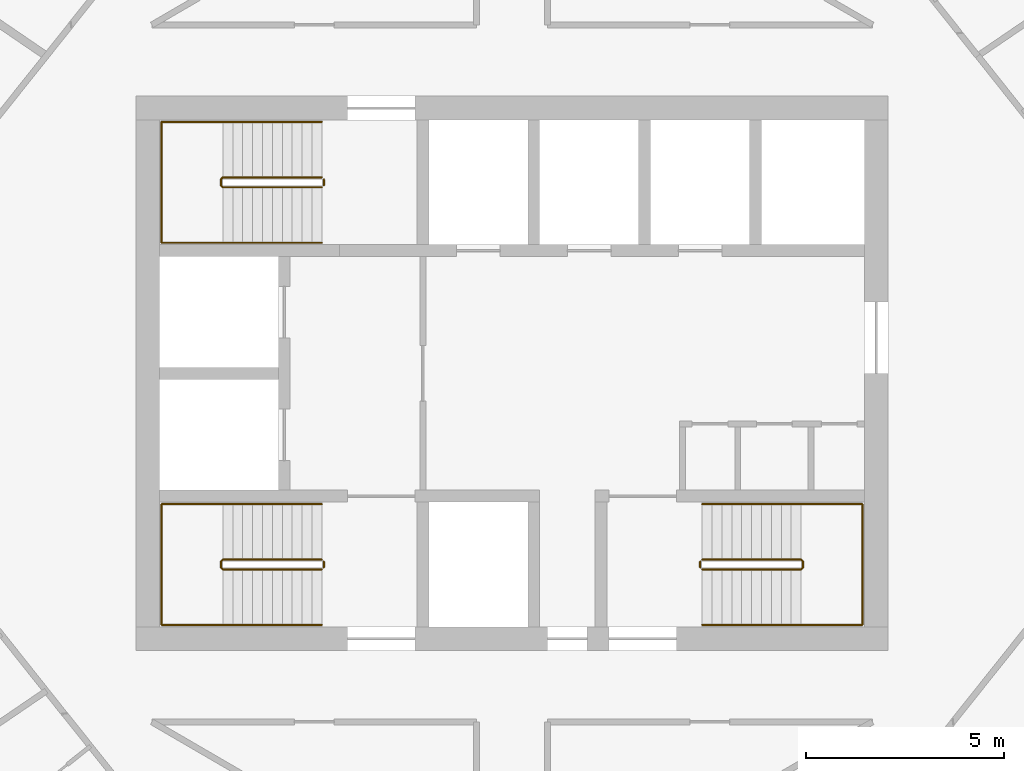
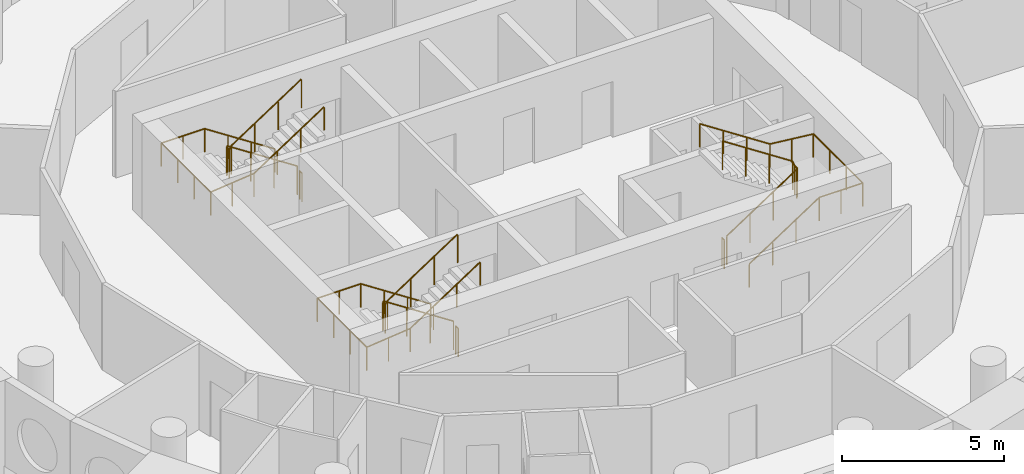
# One storey, part 13 of 13: 9 railings.
"""IFC4 building model written with IfcOpenShell, lengths in metres."""

from ifc_helpers import new_model, si_unit, direction, frame, origin, origin_2d, place, context, subcontext, project, spatial, circle, extrude, material, type_object, element, save


model = new_model("IFC4")

# Units and contexts
model_context = context("Model", 3, precision=1e-05, world=origin(), true_north=direction((0.0, 1.0)))
body_context = subcontext(model_context, "Body", "Model", "MODEL_VIEW")
ifc_project = project(units=[si_unit("LENGTHUNIT", "METRE"), si_unit("AREAUNIT", "SQUARE_METRE"), si_unit("VOLUMEUNIT", "CUBIC_METRE"), si_unit("PLANEANGLEUNIT", "RADIAN"), si_unit("MASSUNIT", "GRAM", prefix="KILO")], contexts=[model_context])

# Site, building, storey
site_placement = place(None, origin())
site = spatial("IfcSite", under=ifc_project, at=site_placement, CompositionType="ELEMENT")
building_placement = place(site_placement, origin())
building = spatial("IfcBuilding", under=site, at=building_placement, Name="Tracery Tower", CompositionType="ELEMENT")
storey_placement = place(building_placement, frame((0.0, 0.0, 256.199951171875)))
storey = spatial("IfcBuildingStorey", under=building, at=storey_placement, Name="L66", CompositionType="ELEMENT", Elevation=256.199951171875)

# Railings
ifc_material_1 = material(Name="Stainless steel and laminated glass", Category="steel")
railing_type_1 = type_object("IfcRailingType", Name="Stair guard 1100", PredefinedType="GUARDRAIL", material=ifc_material_1)
railing_1_placement = place(storey_placement, frame((-4.800048828125, -4.699951171875, 0.16357421875)))
element("IfcRailing", 1, at=railing_1_placement, inside=storey, type_object=railing_type_1, Name="L66 stair ST1 guard 1", PredefinedType="GUARDRAIL", context=body_context, shape_type="SweptSolid", body=[
    extrude(circle(Radius=0.02392578125, at=origin_2d()), frame((0.0, 0.0, 1.076171875), z_axis=(-0.83668449804, 0.0, 0.54768517484), x_axis=(0.0, -1.0, 0.0)), (0.0, 0.0, 1.0), 2.988037109375),
    extrude(circle(Radius=0.02392578125, at=origin_2d()), frame((-2.5, 0.0, 2.71240234375), z_axis=(-0.707106781187, -0.707106781187, 0.0), x_axis=(0.707106781187, -0.707106781187, 0.0)), (0.0, 0.0, 1.0), 0.07080078125),
    extrude(circle(Radius=0.02392578125, at=origin_2d()), frame((-2.550048828125, -0.050048828125, 2.71240234375), z_axis=(0.0, -1.0, 0.0), x_axis=(1.0, 0.0, 0.0)), (0.0, 0.0, 1.0), 0.14990234375),
    extrude(circle(Radius=0.02392578125, at=origin_2d()), frame((-2.550048828125, -0.199951171875, 2.71240234375), z_axis=(0.280808744504, -0.280808744504, 0.917765164963), x_axis=(0.707106781187, 0.707106781187, 0.0)), (0.0, 0.0, 1.0), 0.17822265625),
    extrude(circle(Radius=0.02392578125, at=origin_2d()), frame((-2.5, -0.25, 2.8759765625), z_axis=(0.83668449804, 0.0, 0.54768517484), x_axis=(0.0, 1.0, 0.0)), (0.0, 0.0, 1.0), 2.988037109375),
    extrude(circle(Radius=0.02099609375, at=origin_2d()), origin(), (0.0, 0.0, 1.0), 1.052001953125),
    extrude(circle(Radius=0.02099609375, at=origin_2d()), frame((-0.833251953125, 0.0, 0.54541015625)), (0.0, 0.0, 1.0), 1.052001953125),
    extrude(circle(Radius=0.02099609375, at=origin_2d()), frame((-1.666748046875, 0.0, 1.091064453125)), (0.0, 0.0, 1.0), 1.052001953125),
    extrude(circle(Radius=0.02099609375, at=origin_2d()), frame((-2.5, 0.0, 1.636474609375)), (0.0, 0.0, 1.0), 1.052001953125),
    extrude(circle(Radius=0.02099609375, at=origin_2d()), frame((-2.550048828125, -0.050048828125, 1.636474609375)), (0.0, 0.0, 1.0), 1.052001953125),
    extrude(circle(Radius=0.02099609375, at=origin_2d()), frame((-2.550048828125, -0.199951171875, 1.636474609375)), (0.0, 0.0, 1.0), 1.052001953125),
    extrude(circle(Radius=0.02099609375, at=origin_2d()), frame((-2.5, -0.25, 1.800048828125)), (0.0, 0.0, 1.0), 1.052001953125),
    extrude(circle(Radius=0.02099609375, at=origin_2d()), frame((-1.666748046875, -0.25, 2.345458984375)), (0.0, 0.0, 1.0), 1.052001953125),
    extrude(circle(Radius=0.02099609375, at=origin_2d()), frame((-0.833251953125, -0.25, 2.89111328125)), (0.0, 0.0, 1.0), 1.052001953125),
    extrude(circle(Radius=0.02099609375, at=origin_2d()), frame((0.0, -0.25, 3.4365234375)), (0.0, 0.0, 1.0), 1.052001953125),
])
railing_2_placement = place(storey_placement, frame((-4.75, -4.75, 0.0)))
element("IfcRailing", 2, at=railing_2_placement, inside=storey, type_object=railing_type_1, Name="L66 stair ST1 guard 2", PredefinedType="GUARDRAIL", context=body_context, shape_type="SweptSolid", body=[
    extrude(circle(Radius=0.02392578125, at=origin_2d()), frame((0.0, 0.0, 1.076171875), z_axis=(0.0, -1.0, 0.0), x_axis=(1.0, 0.0, 0.0)), (0.0, 0.0, 1.0), 0.14990234375),
    extrude(circle(Radius=0.02099609375, at=origin_2d()), origin(), (0.0, 0.0, 1.0), 1.052001953125),
    extrude(circle(Radius=0.02099609375, at=origin_2d()), frame((0.0, -0.14990234375, 0.0)), (0.0, 0.0, 1.0), 1.052001953125),
])
railing_3_placement = place(storey_placement, frame((-4.800048828125, 4.949951171875, 0.16357421875)))
element("IfcRailing", 3, at=railing_3_placement, inside=storey, type_object=railing_type_1, Name="L66 stair ST3 guard 1", PredefinedType="GUARDRAIL", context=body_context, shape_type="SweptSolid", body=[
    extrude(circle(Radius=0.02392578125, at=origin_2d()), frame((0.0, 0.0, 1.076171875), z_axis=(-0.83668449804, 0.0, 0.54768517484), x_axis=(0.0, -1.0, 0.0)), (0.0, 0.0, 1.0), 2.988037109375),
    extrude(circle(Radius=0.02392578125, at=origin_2d()), frame((-2.5, 0.0, 2.71240234375), z_axis=(-0.707106781187, -0.707106781187, 0.0), x_axis=(0.707106781187, -0.707106781187, 0.0)), (0.0, 0.0, 1.0), 0.07080078125),
    extrude(circle(Radius=0.02392578125, at=origin_2d()), frame((-2.550048828125, -0.050048828125, 2.71240234375), z_axis=(0.0, -1.0, 0.0), x_axis=(1.0, 0.0, 0.0)), (0.0, 0.0, 1.0), 0.14990234375),
    extrude(circle(Radius=0.02392578125, at=origin_2d()), frame((-2.550048828125, -0.199951171875, 2.71240234375), z_axis=(0.280808744504, -0.280808744504, 0.917765164963), x_axis=(0.707106781187, 0.707106781187, 0.0)), (0.0, 0.0, 1.0), 0.17822265625),
    extrude(circle(Radius=0.02392578125, at=origin_2d()), frame((-2.5, -0.25, 2.8759765625), z_axis=(0.83668449804, 0.0, 0.54768517484), x_axis=(0.0, 1.0, 0.0)), (0.0, 0.0, 1.0), 2.988037109375),
    extrude(circle(Radius=0.02099609375, at=origin_2d()), origin(), (0.0, 0.0, 1.0), 1.052001953125),
    extrude(circle(Radius=0.02099609375, at=origin_2d()), frame((-0.833251953125, 0.0, 0.54541015625)), (0.0, 0.0, 1.0), 1.052001953125),
    extrude(circle(Radius=0.02099609375, at=origin_2d()), frame((-1.666748046875, 0.0, 1.091064453125)), (0.0, 0.0, 1.0), 1.052001953125),
    extrude(circle(Radius=0.02099609375, at=origin_2d()), frame((-2.5, 0.0, 1.636474609375)), (0.0, 0.0, 1.0), 1.052001953125),
    extrude(circle(Radius=0.02099609375, at=origin_2d()), frame((-2.550048828125, -0.050048828125, 1.636474609375)), (0.0, 0.0, 1.0), 1.052001953125),
    extrude(circle(Radius=0.02099609375, at=origin_2d()), frame((-2.550048828125, -0.199951171875, 1.636474609375)), (0.0, 0.0, 1.0), 1.052001953125),
    extrude(circle(Radius=0.02099609375, at=origin_2d()), frame((-2.5, -0.25, 1.800048828125)), (0.0, 0.0, 1.0), 1.052001953125),
    extrude(circle(Radius=0.02099609375, at=origin_2d()), frame((-1.666748046875, -0.25, 2.345458984375)), (0.0, 0.0, 1.0), 1.052001953125),
    extrude(circle(Radius=0.02099609375, at=origin_2d()), frame((-0.833251953125, -0.25, 2.89111328125)), (0.0, 0.0, 1.0), 1.052001953125),
    extrude(circle(Radius=0.02099609375, at=origin_2d()), frame((0.0, -0.25, 3.4365234375)), (0.0, 0.0, 1.0), 1.052001953125),
])
railing_4_placement = place(storey_placement, frame((-4.75, 4.89990234375, 0.0)))
element("IfcRailing", 4, at=railing_4_placement, inside=storey, type_object=railing_type_1, Name="L66 stair ST3 guard 2", PredefinedType="GUARDRAIL", context=body_context, shape_type="SweptSolid", body=[
    extrude(circle(Radius=0.02392578125, at=origin_2d()), frame((0.0, 0.0, 1.076171875), z_axis=(0.0, -1.0, 0.0), x_axis=(1.0, 0.0, 0.0)), (0.0, 0.0, 1.0), 0.14990234375),
    extrude(circle(Radius=0.02099609375, at=origin_2d()), origin(), (0.0, 0.0, 1.0), 1.052001953125),
    extrude(circle(Radius=0.02099609375, at=origin_2d()), frame((0.0, -0.14990234375, 0.0)), (0.0, 0.0, 1.0), 1.052001953125),
])
railing_5_placement = place(storey_placement, frame((4.800048828125, -4.949951171875, 0.16357421875)))
element("IfcRailing", 5, at=railing_5_placement, inside=storey, type_object=railing_type_1, Name="L66 stair ST2 guard 1", PredefinedType="GUARDRAIL", context=body_context, shape_type="SweptSolid", body=[
    extrude(circle(Radius=0.02392578125, at=origin_2d()), frame((0.0, 0.0, 1.076171875), z_axis=(0.83668449804, 0.0, 0.54768517484), x_axis=(0.0, 1.0, 0.0)), (0.0, 0.0, 1.0), 2.988037109375),
    extrude(circle(Radius=0.02392578125, at=origin_2d()), frame((2.5, 0.0, 2.71240234375), z_axis=(0.707106781187, 0.707106781187, 0.0), x_axis=(-0.707106781187, 0.707106781187, 0.0)), (0.0, 0.0, 1.0), 0.07080078125),
    extrude(circle(Radius=0.02392578125, at=origin_2d()), frame((2.550048828125, 0.050048828125, 2.71240234375), z_axis=(0.0, 1.0, 0.0), x_axis=(-1.0, 0.0, 0.0)), (0.0, 0.0, 1.0), 0.14990234375),
    extrude(circle(Radius=0.02392578125, at=origin_2d()), frame((2.550048828125, 0.199951171875, 2.71240234375), z_axis=(-0.280808744504, 0.280808744504, 0.917765164963), x_axis=(-0.707106781187, -0.707106781187, 0.0)), (0.0, 0.0, 1.0), 0.17822265625),
    extrude(circle(Radius=0.02392578125, at=origin_2d()), frame((2.5, 0.25, 2.8759765625), z_axis=(-0.83668449804, 0.0, 0.54768517484), x_axis=(0.0, -1.0, 0.0)), (0.0, 0.0, 1.0), 2.988037109375),
    extrude(circle(Radius=0.02099609375, at=origin_2d()), origin(), (0.0, 0.0, 1.0), 1.052001953125),
    extrude(circle(Radius=0.02099609375, at=origin_2d()), frame((0.833251953125, 0.0, 0.54541015625)), (0.0, 0.0, 1.0), 1.052001953125),
    extrude(circle(Radius=0.02099609375, at=origin_2d()), frame((1.666748046875, 0.0, 1.091064453125)), (0.0, 0.0, 1.0), 1.052001953125),
    extrude(circle(Radius=0.02099609375, at=origin_2d()), frame((2.5, 0.0, 1.636474609375)), (0.0, 0.0, 1.0), 1.052001953125),
    extrude(circle(Radius=0.02099609375, at=origin_2d()), frame((2.550048828125, 0.050048828125, 1.636474609375)), (0.0, 0.0, 1.0), 1.052001953125),
    extrude(circle(Radius=0.02099609375, at=origin_2d()), frame((2.550048828125, 0.199951171875, 1.636474609375)), (0.0, 0.0, 1.0), 1.052001953125),
    extrude(circle(Radius=0.02099609375, at=origin_2d()), frame((2.5, 0.25, 1.800048828125)), (0.0, 0.0, 1.0), 1.052001953125),
    extrude(circle(Radius=0.02099609375, at=origin_2d()), frame((1.666748046875, 0.25, 2.345458984375)), (0.0, 0.0, 1.0), 1.052001953125),
    extrude(circle(Radius=0.02099609375, at=origin_2d()), frame((0.833251953125, 0.25, 2.89111328125)), (0.0, 0.0, 1.0), 1.052001953125),
    extrude(circle(Radius=0.02099609375, at=origin_2d()), frame((0.0, 0.25, 3.4365234375)), (0.0, 0.0, 1.0), 1.052001953125),
])
railing_6_placement = place(storey_placement, frame((4.75, -4.89990234375, 0.0)))
element("IfcRailing", 6, at=railing_6_placement, inside=storey, type_object=railing_type_1, Name="L66 stair ST2 guard 2", PredefinedType="GUARDRAIL", context=body_context, shape_type="SweptSolid", body=[
    extrude(circle(Radius=0.02392578125, at=origin_2d()), frame((0.0, 0.0, 1.076171875), z_axis=(0.0, 1.0, 0.0), x_axis=(-1.0, 0.0, 0.0)), (0.0, 0.0, 1.0), 0.14990234375),
    extrude(circle(Radius=0.02099609375, at=origin_2d()), origin(), (0.0, 0.0, 1.0), 1.052001953125),
    extrude(circle(Radius=0.02099609375, at=origin_2d()), frame((0.0, 0.14990234375, 0.0)), (0.0, 0.0, 1.0), 1.052001953125),
])
ifc_material_2 = material(Name="Stainless steel and laminated glass", Category="steel")
railing_type_2 = type_object("IfcRailingType", Name="Stair handrail 900", PredefinedType="HANDRAIL", material=ifc_material_2)
railing_7_placement = place(storey_placement, frame((-4.800048828125, -3.300048828125, 0.16357421875)))
element("IfcRailing", 7, at=railing_7_placement, inside=storey, type_object=railing_type_2, Name="L66 stair ST1 handrail 1", PredefinedType="HANDRAIL", context=body_context, shape_type="SweptSolid", body=[
    extrude(circle(Radius=0.02392578125, at=origin_2d()), frame((0.0, 0.0, 0.8759765625), z_axis=(-0.83668449804, 0.0, 0.54768517484), x_axis=(0.0, -1.0, 0.0)), (0.0, 0.0, 1.0), 2.988037109375),
    extrude(circle(Radius=0.02392578125, at=origin_2d()), frame((-2.5, 0.0, 2.51220703125), z_axis=(-1.0, 0.0, 0.0), x_axis=(0.0, -1.0, 0.0)), (0.0, 0.0, 1.0), 1.550048828125),
    extrude(circle(Radius=0.02392578125, at=origin_2d()), frame((-4.050048828125, 0.0, 2.51220703125), z_axis=(0.0, -1.0, 0.0), x_axis=(1.0, 0.0, 0.0)), (0.0, 0.0, 1.0), 3.050048828125),
    extrude(circle(Radius=0.02392578125, at=origin_2d()), frame((-4.050048828125, -3.050048828125, 2.51220703125), z_axis=(0.994477953863, 0.0, 0.104945696817), x_axis=(0.0, 1.0, 0.0)), (0.0, 0.0, 1.0), 1.55859375),
    extrude(circle(Radius=0.02392578125, at=origin_2d()), frame((-2.5, -3.050048828125, 2.67578125), z_axis=(0.83668449804, 0.0, 0.54768517484), x_axis=(0.0, 1.0, 0.0)), (0.0, 0.0, 1.0), 2.988037109375),
    extrude(circle(Radius=0.02099609375, at=origin_2d()), origin(), (0.0, 0.0, 1.0), 0.851806640625),
    extrude(circle(Radius=0.02099609375, at=origin_2d()), frame((-0.833251953125, 0.0, 0.54541015625)), (0.0, 0.0, 1.0), 0.851806640625),
    extrude(circle(Radius=0.02099609375, at=origin_2d()), frame((-1.666748046875, 0.0, 1.091064453125)), (0.0, 0.0, 1.0), 0.851806640625),
    extrude(circle(Radius=0.02099609375, at=origin_2d()), frame((-2.5, 0.0, 1.636474609375)), (0.0, 0.0, 1.0), 0.851806640625),
    extrude(circle(Radius=0.02099609375, at=origin_2d()), frame((-3.27490234375, 0.0, 1.636474609375)), (0.0, 0.0, 1.0), 0.851806640625),
    extrude(circle(Radius=0.02099609375, at=origin_2d()), frame((-4.050048828125, 0.0, 1.636474609375)), (0.0, 0.0, 1.0), 0.851806640625),
    extrude(circle(Radius=0.02099609375, at=origin_2d()), frame((-4.050048828125, -1.0166015625, 1.636474609375)), (0.0, 0.0, 1.0), 0.851806640625),
    extrude(circle(Radius=0.02099609375, at=origin_2d()), frame((-4.050048828125, -2.033447265625, 1.636474609375)), (0.0, 0.0, 1.0), 0.851806640625),
    extrude(circle(Radius=0.02099609375, at=origin_2d()), frame((-4.050048828125, -3.050048828125, 1.636474609375)), (0.0, 0.0, 1.0), 0.851806640625),
    extrude(circle(Radius=0.02099609375, at=origin_2d()), frame((-3.27490234375, -3.050048828125, 1.71826171875)), (0.0, 0.0, 1.0), 0.851806640625),
    extrude(circle(Radius=0.02099609375, at=origin_2d()), frame((-2.5, -3.050048828125, 1.800048828125)), (0.0, 0.0, 1.0), 0.851806640625),
    extrude(circle(Radius=0.02099609375, at=origin_2d()), frame((-1.666748046875, -3.050048828125, 2.345458984375)), (0.0, 0.0, 1.0), 0.851806640625),
    extrude(circle(Radius=0.02099609375, at=origin_2d()), frame((-0.833251953125, -3.050048828125, 2.89111328125)), (0.0, 0.0, 1.0), 0.851806640625),
    extrude(circle(Radius=0.02099609375, at=origin_2d()), frame((0.0, -3.050048828125, 3.4365234375)), (0.0, 0.0, 1.0), 0.851806640625),
])
railing_8_placement = place(storey_placement, frame((-4.800048828125, 6.35009765625, 0.16357421875)))
element("IfcRailing", 8, at=railing_8_placement, inside=storey, type_object=railing_type_2, Name="L66 stair ST3 handrail 1", PredefinedType="HANDRAIL", context=body_context, shape_type="SweptSolid", body=[
    extrude(circle(Radius=0.02392578125, at=origin_2d()), frame((0.0, 0.0, 0.8759765625), z_axis=(-0.83668449804, 0.0, 0.54768517484), x_axis=(0.0, -1.0, 0.0)), (0.0, 0.0, 1.0), 2.988037109375),
    extrude(circle(Radius=0.02392578125, at=origin_2d()), frame((-2.5, 0.0, 2.51220703125), z_axis=(-1.0, 0.0, 0.0), x_axis=(0.0, -1.0, 0.0)), (0.0, 0.0, 1.0), 1.550048828125),
    extrude(circle(Radius=0.02392578125, at=origin_2d()), frame((-4.050048828125, 0.0, 2.51220703125), z_axis=(0.0, -1.0, 0.0), x_axis=(1.0, 0.0, 0.0)), (0.0, 0.0, 1.0), 3.050048828125),
    extrude(circle(Radius=0.02392578125, at=origin_2d()), frame((-4.050048828125, -3.050048828125, 2.51220703125), z_axis=(0.994477953863, 0.0, 0.104945696817), x_axis=(0.0, 1.0, 0.0)), (0.0, 0.0, 1.0), 1.55859375),
    extrude(circle(Radius=0.02392578125, at=origin_2d()), frame((-2.5, -3.050048828125, 2.67578125), z_axis=(0.83668449804, 0.0, 0.54768517484), x_axis=(0.0, 1.0, 0.0)), (0.0, 0.0, 1.0), 2.988037109375),
    extrude(circle(Radius=0.02099609375, at=origin_2d()), origin(), (0.0, 0.0, 1.0), 0.851806640625),
    extrude(circle(Radius=0.02099609375, at=origin_2d()), frame((-0.833251953125, 0.0, 0.54541015625)), (0.0, 0.0, 1.0), 0.851806640625),
    extrude(circle(Radius=0.02099609375, at=origin_2d()), frame((-1.666748046875, 0.0, 1.091064453125)), (0.0, 0.0, 1.0), 0.851806640625),
    extrude(circle(Radius=0.02099609375, at=origin_2d()), frame((-2.5, 0.0, 1.636474609375)), (0.0, 0.0, 1.0), 0.851806640625),
    extrude(circle(Radius=0.02099609375, at=origin_2d()), frame((-3.27490234375, 0.0, 1.636474609375)), (0.0, 0.0, 1.0), 0.851806640625),
    extrude(circle(Radius=0.02099609375, at=origin_2d()), frame((-4.050048828125, 0.0, 1.636474609375)), (0.0, 0.0, 1.0), 0.851806640625),
    extrude(circle(Radius=0.02099609375, at=origin_2d()), frame((-4.050048828125, -1.0166015625, 1.636474609375)), (0.0, 0.0, 1.0), 0.851806640625),
    extrude(circle(Radius=0.02099609375, at=origin_2d()), frame((-4.050048828125, -2.033447265625, 1.636474609375)), (0.0, 0.0, 1.0), 0.851806640625),
    extrude(circle(Radius=0.02099609375, at=origin_2d()), frame((-4.050048828125, -3.050048828125, 1.636474609375)), (0.0, 0.0, 1.0), 0.851806640625),
    extrude(circle(Radius=0.02099609375, at=origin_2d()), frame((-3.27490234375, -3.050048828125, 1.71826171875)), (0.0, 0.0, 1.0), 0.851806640625),
    extrude(circle(Radius=0.02099609375, at=origin_2d()), frame((-2.5, -3.050048828125, 1.800048828125)), (0.0, 0.0, 1.0), 0.851806640625),
    extrude(circle(Radius=0.02099609375, at=origin_2d()), frame((-1.666748046875, -3.050048828125, 2.345458984375)), (0.0, 0.0, 1.0), 0.851806640625),
    extrude(circle(Radius=0.02099609375, at=origin_2d()), frame((-0.833251953125, -3.050048828125, 2.89111328125)), (0.0, 0.0, 1.0), 0.851806640625),
    extrude(circle(Radius=0.02099609375, at=origin_2d()), frame((0.0, -3.050048828125, 3.4365234375)), (0.0, 0.0, 1.0), 0.851806640625),
])
railing_9_placement = place(storey_placement, frame((4.800048828125, -6.35009765625, 0.16357421875)))
element("IfcRailing", 9, at=railing_9_placement, inside=storey, type_object=railing_type_2, Name="L66 stair ST2 handrail 1", PredefinedType="HANDRAIL", context=body_context, shape_type="SweptSolid", body=[
    extrude(circle(Radius=0.02392578125, at=origin_2d()), frame((0.0, 0.0, 0.8759765625), z_axis=(0.83668449804, 0.0, 0.54768517484), x_axis=(0.0, 1.0, 0.0)), (0.0, 0.0, 1.0), 2.988037109375),
    extrude(circle(Radius=0.02392578125, at=origin_2d()), frame((2.5, 0.0, 2.51220703125), z_axis=(1.0, 0.0, 0.0), x_axis=(0.0, 1.0, 0.0)), (0.0, 0.0, 1.0), 1.550048828125),
    extrude(circle(Radius=0.02392578125, at=origin_2d()), frame((4.050048828125, 0.0, 2.51220703125), z_axis=(0.0, 1.0, 0.0), x_axis=(-1.0, 0.0, 0.0)), (0.0, 0.0, 1.0), 3.050048828125),
    extrude(circle(Radius=0.02392578125, at=origin_2d()), frame((4.050048828125, 3.050048828125, 2.51220703125), z_axis=(-0.994477953863, 0.0, 0.104945696817), x_axis=(0.0, -1.0, 0.0)), (0.0, 0.0, 1.0), 1.55859375),
    extrude(circle(Radius=0.02392578125, at=origin_2d()), frame((2.5, 3.050048828125, 2.67578125), z_axis=(-0.83668449804, 0.0, 0.54768517484), x_axis=(0.0, -1.0, 0.0)), (0.0, 0.0, 1.0), 2.988037109375),
    extrude(circle(Radius=0.02099609375, at=origin_2d()), origin(), (0.0, 0.0, 1.0), 0.851806640625),
    extrude(circle(Radius=0.02099609375, at=origin_2d()), frame((0.833251953125, 0.0, 0.54541015625)), (0.0, 0.0, 1.0), 0.851806640625),
    extrude(circle(Radius=0.02099609375, at=origin_2d()), frame((1.666748046875, 0.0, 1.091064453125)), (0.0, 0.0, 1.0), 0.851806640625),
    extrude(circle(Radius=0.02099609375, at=origin_2d()), frame((2.5, 0.0, 1.636474609375)), (0.0, 0.0, 1.0), 0.851806640625),
    extrude(circle(Radius=0.02099609375, at=origin_2d()), frame((3.27490234375, 0.0, 1.636474609375)), (0.0, 0.0, 1.0), 0.851806640625),
    extrude(circle(Radius=0.02099609375, at=origin_2d()), frame((4.050048828125, 0.0, 1.636474609375)), (0.0, 0.0, 1.0), 0.851806640625),
    extrude(circle(Radius=0.02099609375, at=origin_2d()), frame((4.050048828125, 1.0166015625, 1.636474609375)), (0.0, 0.0, 1.0), 0.851806640625),
    extrude(circle(Radius=0.02099609375, at=origin_2d()), frame((4.050048828125, 2.033447265625, 1.636474609375)), (0.0, 0.0, 1.0), 0.851806640625),
    extrude(circle(Radius=0.02099609375, at=origin_2d()), frame((4.050048828125, 3.050048828125, 1.636474609375)), (0.0, 0.0, 1.0), 0.851806640625),
    extrude(circle(Radius=0.02099609375, at=origin_2d()), frame((3.27490234375, 3.050048828125, 1.71826171875)), (0.0, 0.0, 1.0), 0.851806640625),
    extrude(circle(Radius=0.02099609375, at=origin_2d()), frame((2.5, 3.050048828125, 1.800048828125)), (0.0, 0.0, 1.0), 0.851806640625),
    extrude(circle(Radius=0.02099609375, at=origin_2d()), frame((1.666748046875, 3.050048828125, 2.345458984375)), (0.0, 0.0, 1.0), 0.851806640625),
    extrude(circle(Radius=0.02099609375, at=origin_2d()), frame((0.833251953125, 3.050048828125, 2.89111328125)), (0.0, 0.0, 1.0), 0.851806640625),
    extrude(circle(Radius=0.02099609375, at=origin_2d()), frame((0.0, 3.050048828125, 3.4365234375)), (0.0, 0.0, 1.0), 0.851806640625),
])

save(model, "model.ifc")
